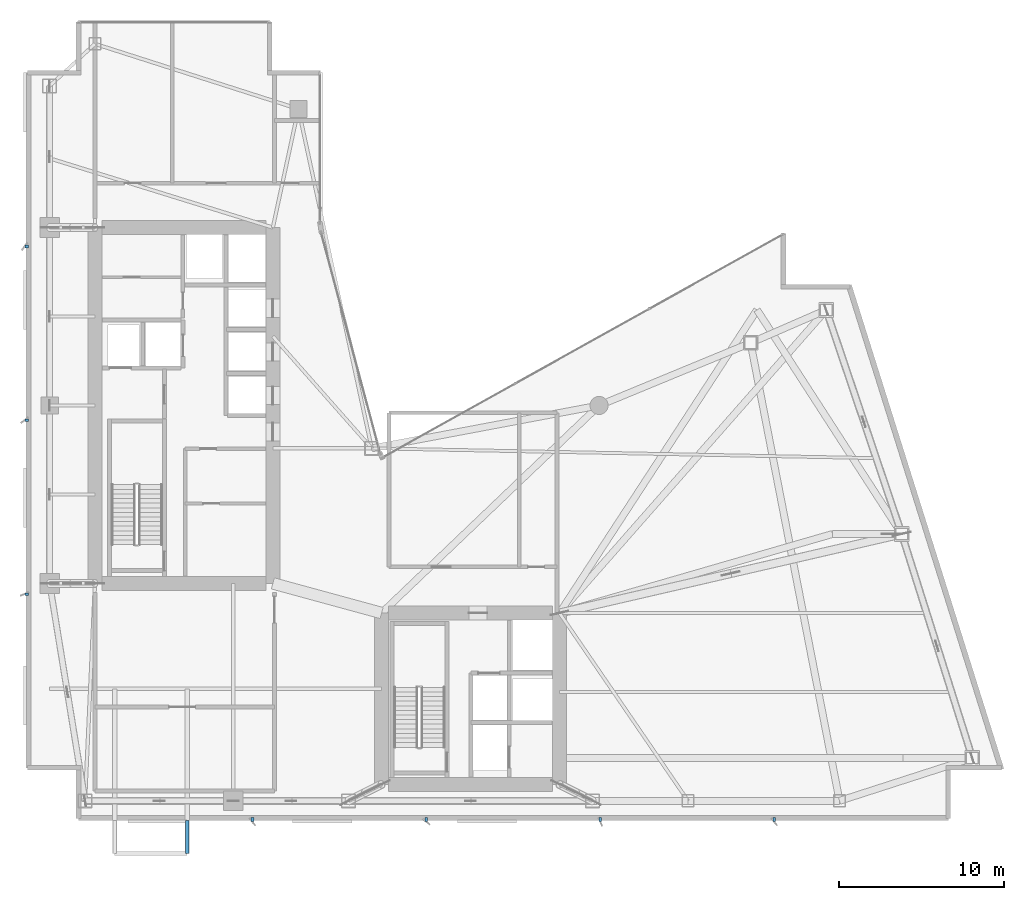
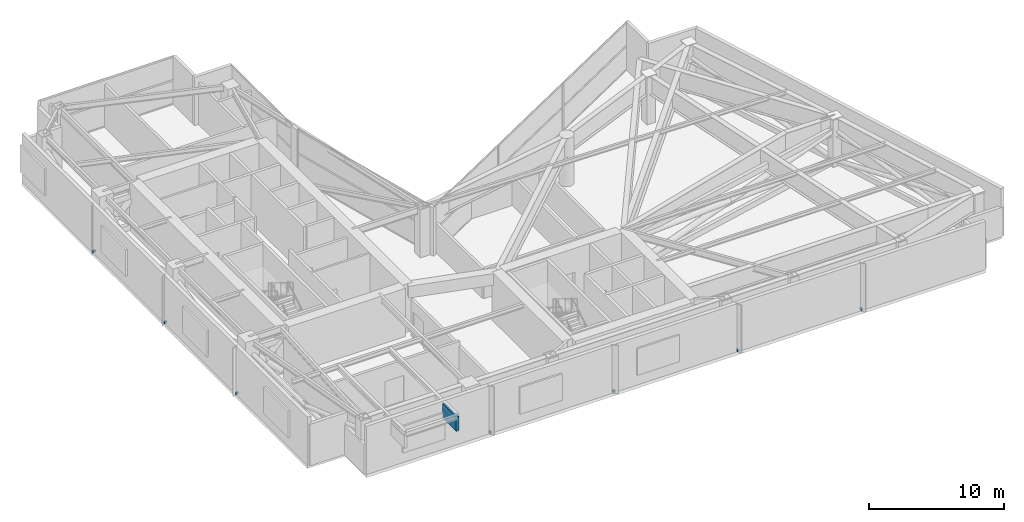
# One storey, part 15 of 17: 8 discrete accessories.
"""IFC4 building model written with IfcOpenShell, lengths in metres."""

from ifc_helpers import new_model, si_unit, direction, frame, origin, origin_2d, place, context, subcontext, project, spatial, rectangle, extrude, material, type_object, element, save


model = new_model("IFC4")

# Units and contexts
model_context = context("Model", 3, precision=1e-05, world=origin(), true_north=direction((0.0, 1.0)))
body_context = subcontext(model_context, "Body", "Model", "MODEL_VIEW")
ifc_project = project(units=[si_unit("LENGTHUNIT", "METRE"), si_unit("AREAUNIT", "SQUARE_METRE"), si_unit("VOLUMEUNIT", "CUBIC_METRE"), si_unit("PLANEANGLEUNIT", "RADIAN"), si_unit("MASSUNIT", "GRAM", prefix="KILO")], contexts=[model_context])

# Site, building, storey
site_placement = place(None, origin())
site = spatial("IfcSite", under=ifc_project, at=site_placement, CompositionType="ELEMENT")
building_placement = place(site_placement, origin())
building = spatial("IfcBuilding", under=site, at=building_placement, Name="Calvorn Quay Hotel", CompositionType="ELEMENT")
storey_placement = place(building_placement, frame((0.0, 0.0, 186.5)))
storey = spatial("IfcBuildingStorey", under=building, at=storey_placement, Name="L46", CompositionType="ELEMENT", Elevation=186.5)

# Discrete accessories
ifc_material_1 = material(Name="Steel Q355B", Category="steel")
discrete_accessory_type_1 = type_object("IfcDiscreteAccessoryType", Name="ACC-BALC-STRUT", PredefinedType="BRACKET", material=ifc_material_1)
discrete_accessory_placement = place(storey_placement, frame((9.800048828125, 1.405029296875, 2.8251953125), z_axis=(0.0, 0.0, 1.0), x_axis=(1.0, 0.0, 0.0)))
element("IfcDiscreteAccessory", 1, at=discrete_accessory_placement, inside=storey, type_object=discrete_accessory_type_1, Name="Exterior Balcony Steel Bracket L47-BALC-S-B", PredefinedType="BRACKET", context=body_context, shape_type="SweptSolid", body=[
    extrude(rectangle(XDim=0.219970703125, YDim=1.989990234375, at=origin_2d()), origin(), (0.0, 0.0, 1.0), 1.300048828125),
])
ifc_material_2 = material(Name="Steel Q355B", Category="steel")
discrete_accessory_type_2 = type_object("IfcDiscreteAccessoryType", Name="ACC-FIN-BRACKET", PredefinedType="BRACKET", material=ifc_material_2)
for number, where, z_axis, x_axis, name in (
    (2, (0.06005859375, 16.14990234375, 0.0302734375), (0.0, 0.0, 1.0), (1.0, 0.0, 0.0), "Fin Anchor Bracket L46-W01"),
    (3, (0.06005859375, 26.699951171875, 0.0302734375), (0.0, 0.0, 1.0), (1.0, 0.0, 0.0), "Fin Anchor Bracket L46-W02"),
    (4, (0.06005859375, 37.25, 0.0302734375), (0.0, 0.0, 1.0), (1.0, 0.0, 0.0), "Fin Anchor Bracket L46-W03"),
    (5, (13.760009765625, 2.4599609375, 0.0302734375), (0.0, 0.0, 1.0), (0.0, 1.0, 0.0), "Fin Anchor Bracket L46-S01"),
    (6, (24.320068359375, 2.4599609375, 0.0302734375), (0.0, 0.0, 1.0), (0.0, 1.0, 0.0), "Fin Anchor Bracket L46-S02"),
    (7, (34.8798828125, 2.4599609375, 0.0302734375), (0.0, 0.0, 1.0), (0.0, 1.0, 0.0), "Fin Anchor Bracket L46-S03"),
    (8, (45.43994140625, 2.4599609375, 0.0302734375), (0.0, 0.0, 1.0), (0.0, 1.0, 0.0), "Fin Anchor Bracket L46-S04"),
):
    element("IfcDiscreteAccessory", number, at=place(storey_placement, frame(where, z_axis=z_axis, x_axis=x_axis)), inside=storey, type_object=discrete_accessory_type_2, Name=name, PredefinedType="BRACKET", context=body_context, shape_type="SweptSolid", body=[
        extrude(rectangle(XDim=0.239990234375, YDim=0.159912109375, at=origin_2d()), origin(), (0.0, 0.0, 1.0), 0.179931640625),
    ])

save(model, "model.ifc")
